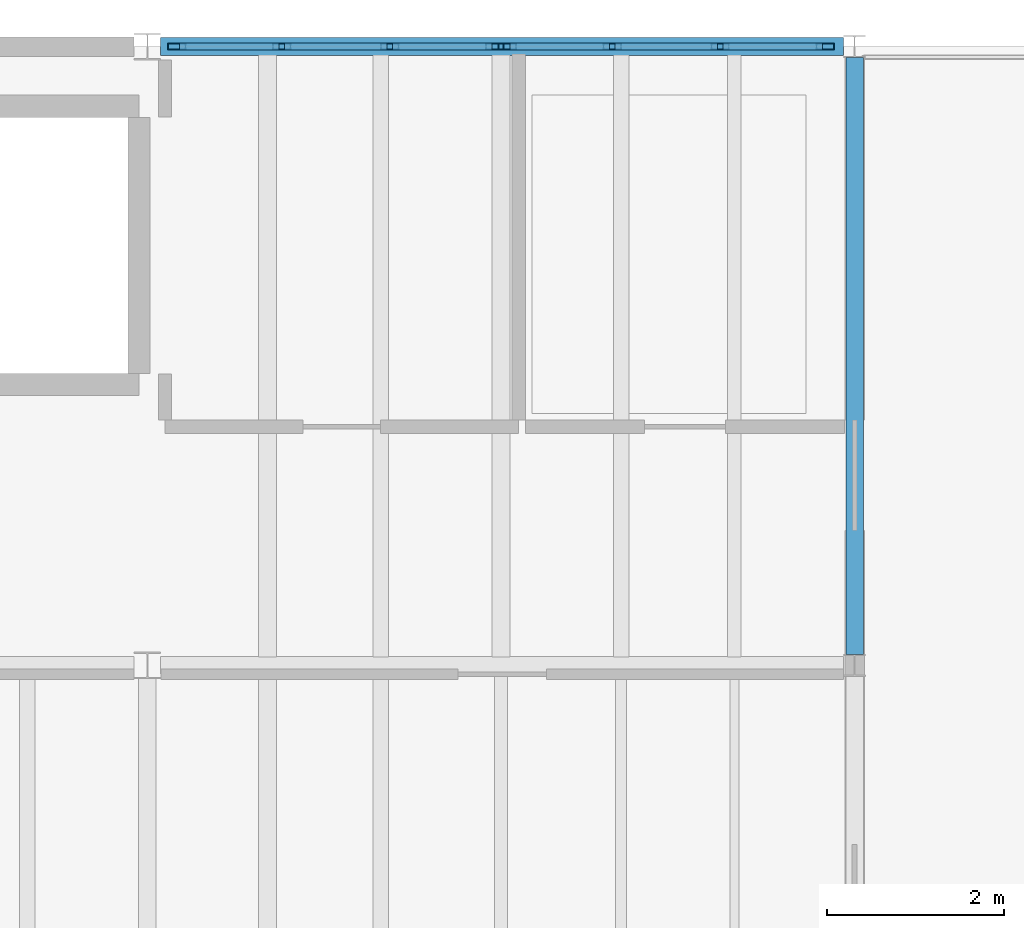
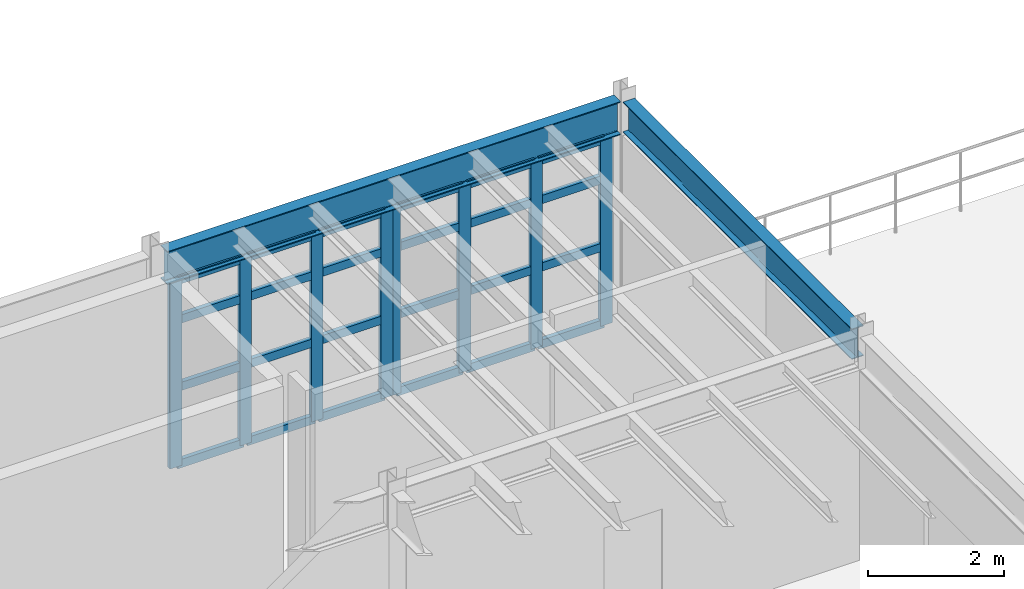
# One storey, part 19 of 77: 32 members, 2 beams, 2 elements without a shape of their own.
"""IFC4 building model written with IfcOpenShell, lengths in metres."""

import ifcopenshell
import ifcopenshell.guid

model = None  # the IFC model being written
_history = None  # IfcOwnerHistory: only IFC2X3 demands one
_inside = {}  # id of a spatial element -> (the spatial element, [elements in it])
_under = {}  # id of a project, library or spatial element -> (it, [spatial elements below it])
_declared = {}  # id of a project -> (the project, [libraries it declares])
_typed = {}  # id of a type object -> (the type object, [elements of that type])
_made_of = {}  # id of a material, layer set ... -> (it, [elements and type objects made of it])


def new_model(schema):
    """Start an empty IFC model of exactly this schema.

    Asked for "IFC4X3", IfcOpenShell would pick the latest addendum, in which some entities
    have other attributes; the version numbers below select the first issue.
    IFC2X3 requires an IfcOwnerHistory on every rooted entity: one is made here for all.
    """
    global model, _history
    if schema == "IFC4X3":
        model = ifcopenshell.file(schema_version=(4, 3, 0, 0))
    else:
        model = ifcopenshell.file(schema=schema)
    _inside.clear()
    _under.clear()
    _declared.clear()
    _typed.clear()
    _made_of.clear()
    _history = None
    if model.schema == "IFC2X3":
        org = make("IfcOrganization", Name="unknown")
        user = make(
            "IfcPersonAndOrganization",
            ThePerson=make("IfcPerson", FamilyName="unknown"),
            TheOrganization=org,
        )
        app = make(
            "IfcApplication",
            ApplicationDeveloper=org,
            Version="unknown",
            ApplicationFullName="unknown",
            ApplicationIdentifier="unknown",
        )
        _history = make(
            "IfcOwnerHistory",
            OwningUser=user,
            OwningApplication=app,
            ChangeAction="ADDED",
            CreationDate=0,
        )
    return model


def make(cls, **values):
    """One entity of the class cls with the attributes given. An attribute that is None is left unset."""
    return model.create_entity(
        cls, **{name: value for name, value in values.items() if value is not None}
    )


def rooted(cls, **values):
    """An entity with a GlobalId (a new one), such as an element, a storey or a relation."""
    return make(cls, GlobalId=ifcopenshell.guid.new(), OwnerHistory=_history, **values)


def si_unit(unit_type, name, prefix=None):
    """IfcSIUnit, for example si_unit("LENGTHUNIT", "METRE", prefix="MILLI")."""
    return make("IfcSIUnit", UnitType=unit_type, Prefix=prefix, Name=name)


def assignment(units):
    """IfcUnitAssignment: the units of a project."""
    return None if units is None else make("IfcUnitAssignment", Units=units)


def point(xyz):
    """IfcCartesianPoint."""
    return None if xyz is None else make("IfcCartesianPoint", Coordinates=xyz)


def direction(xyz):
    """IfcDirection."""
    return None if xyz is None else make("IfcDirection", DirectionRatios=xyz)


def frame(location, z_axis=None, x_axis=None):
    """IfcAxis2Placement3D, a coordinate frame: its origin and axes. An axis left out is left unset."""
    return make(
        "IfcAxis2Placement3D",
        Location=point(location),
        Axis=direction(z_axis),
        RefDirection=direction(x_axis),
    )


def frame_2d(location, x_axis=None):
    """IfcAxis2Placement2D, a coordinate frame in the plane: its origin and x axis."""
    return make(
        "IfcAxis2Placement2D", Location=point(location), RefDirection=direction(x_axis)
    )


def origin():
    """The frame at (0, 0, 0) with its axes left unset."""
    return frame((0.0, 0.0, 0.0))


def origin_2d():
    """The frame at (0, 0) in the plane with its x axis left unset."""
    return frame_2d((0.0, 0.0))


def place(relative_to, where):
    """IfcLocalPlacement: puts the frame where relative to a parent placement (None: the world)."""
    return make(
        "IfcLocalPlacement", PlacementRelTo=relative_to, RelativePlacement=where
    )


def context(
    kind, dimensions, precision=None, world=None, true_north=None, identifier=None
):
    """IfcGeometricRepresentationContext, for example the 3D "Model" context."""
    return make(
        "IfcGeometricRepresentationContext",
        ContextIdentifier=identifier,
        ContextType=kind,
        CoordinateSpaceDimension=dimensions,
        Precision=precision,
        WorldCoordinateSystem=world,
        TrueNorth=true_north,
    )


def subcontext(parent, identifier, kind, view, scale=None):
    """IfcGeometricRepresentationSubContext, for example "Body" below "Model"."""
    return make(
        "IfcGeometricRepresentationSubContext",
        ContextIdentifier=identifier,
        ContextType=kind,
        ParentContext=parent,
        TargetScale=scale,
        TargetView=view,
    )


def project(units=None, contexts=None):
    """IfcProject with its units and contexts."""
    return rooted(
        "IfcProject",
        Name="project",
        RepresentationContexts=contexts,
        UnitsInContext=assignment(units),
    )


def spatial(cls, under=None, at=None, **own):
    """A site, building, storey or space (cls), placed at a placement, below another one or the project."""
    s = rooted(cls, ObjectPlacement=at, **own)
    if under is not None:
        _under.setdefault(under.id(), (under, []))[1].append(s)
    return s


def profile(cls, at=None, kind="AREA", **sizes):
    """A parametric profile (cls). Its sizes go by their IFC names, for example OverallWidth=200.0."""
    return make(cls, ProfileType=kind, Position=at, **sizes)


def hollow_rectangle(**sizes):
    """IfcRectangleHollowProfileDef."""
    return profile("IfcRectangleHollowProfileDef", **sizes)


def i_section(**sizes):
    """IfcIShapeProfileDef."""
    return profile("IfcIShapeProfileDef", **sizes)


def extrude(swept, where, along, depth):
    """IfcExtrudedAreaSolid: the profile swept, set in the frame where, extruded along a direction by depth."""
    return make(
        "IfcExtrudedAreaSolid",
        SweptArea=swept,
        Position=where,
        ExtrudedDirection=direction(along),
        Depth=depth,
    )


def shape(context_of_items, identifier, shape_type, items):
    """IfcShapeRepresentation: the items that make up one representation, for example the "Body"."""
    return make(
        "IfcShapeRepresentation",
        ContextOfItems=context_of_items,
        RepresentationIdentifier=identifier,
        RepresentationType=shape_type,
        Items=items,
    )


def material(Name=None, Category=None):
    """IfcMaterial."""
    return make("IfcMaterial", Name=Name, Category=Category)


def material_profile(
    of_material, cross_section, Name=None, Category=None, Priority=None
):
    """IfcMaterialProfile: a cross section and its material."""
    return make(
        "IfcMaterialProfile",
        Name=Name,
        Material=of_material,
        Profile=cross_section,
        Priority=Priority,
        Category=Category,
    )


def profile_set(profiles, Name=None, composite=None):
    """IfcMaterialProfileSet."""
    return make(
        "IfcMaterialProfileSet",
        Name=Name,
        MaterialProfiles=profiles,
        CompositeProfile=composite,
    )


def made_of(thing, what):
    """Note that an element or type object is made of a material, layer set ...; save() writes the relation."""
    if what is not None:
        _made_of.setdefault(what.id(), (what, []))[1].append(thing)
    return thing


def type_object(cls, material=None, **own):
    """A type object (cls), such as IfcWallType, which elements share."""
    return made_of(rooted(cls, **own), material)


def element(
    cls,
    number,
    at=None,
    inside=None,
    cuts=None,
    type_object=None,
    material=None,
    context=None,
    identifier="Body",
    shape_type=None,
    held_by="IfcProductDefinitionShape",
    body=None,
    shapes=None,
    **own,
):
    """One element of the class cls, such as IfcWall. Its Tag is "e" and its number.

    at: its placement. inside: the storey or other place that contains it. cuts: it is an
    opening in that element (IfcRelVoidsElement). A single representation is given by context,
    identifier, shape_type and body (its items); several are given by shapes. held_by: the class
    of the entity that holds the representations. save() writes the other relations.
    """
    e = rooted(cls, Tag="e%d" % number, ObjectPlacement=at, **own)
    if body is not None:
        shapes = [shape(context, identifier, shape_type, body)]
    if shapes is not None:
        e.Representation = make(held_by, Representations=shapes)
    if inside is not None:
        _inside.setdefault(inside.id(), (inside, []))[1].append(e)
    if cuts is not None:
        rooted(
            "IfcRelVoidsElement", RelatingBuildingElement=cuts, RelatedOpeningElement=e
        )
    if type_object is not None:
        _typed.setdefault(type_object.id(), (type_object, []))[1].append(e)
    return made_of(e, material)


def aggregate(whole, parts):
    """IfcRelAggregates: a whole, such as a stair, and the parts it consists of."""
    return rooted("IfcRelAggregates", RelatingObject=whole, RelatedObjects=parts)


def save(model, path):
    """Write the relations noted so far, then the file.

    IfcRelAggregates (storeys below a building ...), IfcRelContainedInSpatialStructure (elements
    in a storey), IfcRelDefinesByType, IfcRelAssociatesMaterial and IfcRelDeclares: one each for
    every whole, place, type object, material and project.
    """
    for whole, parts in _under.values():
        aggregate(whole, parts)
    for where, things in _inside.values():
        rooted(
            "IfcRelContainedInSpatialStructure",
            RelatedElements=things,
            RelatingStructure=where,
        )
    for kind, things in _typed.values():
        rooted("IfcRelDefinesByType", RelatedObjects=things, RelatingType=kind)
    for what, things in _made_of.values():
        rooted("IfcRelAssociatesMaterial", RelatedObjects=things, RelatingMaterial=what)
    for by, libraries in _declared.values():
        rooted("IfcRelDeclares", RelatingContext=by, RelatedDefinitions=libraries)
    model.write(path)


model = new_model("IFC4")

# Units and contexts
model_context = context("Model", 3, precision=1e-05, world=origin(), true_north=direction((0.0, 1.0)))
body_context = subcontext(model_context, "Body", "Model", "MODEL_VIEW")
ifc_project = project(units=[si_unit("LENGTHUNIT", "METRE"), si_unit("AREAUNIT", "SQUARE_METRE"), si_unit("VOLUMEUNIT", "CUBIC_METRE"), si_unit("PLANEANGLEUNIT", "RADIAN"), si_unit("MASSUNIT", "GRAM", prefix="KILO"), si_unit("THERMODYNAMICTEMPERATUREUNIT", "KELVIN"), si_unit("POWERUNIT", "WATT")], contexts=[model_context])

# Site, building, storey
site_placement = place(None, origin())
site = spatial("IfcSite", under=ifc_project, at=site_placement, CompositionType="ELEMENT")
building_placement = place(site_placement, origin())
building = spatial("IfcBuilding", under=site, at=building_placement, Name="Zhenchuan Central Fire Station", CompositionType="ELEMENT")
storey_placement = place(building_placement, frame((0.0, 0.0, 10.050048828125)))
storey = spatial("IfcBuildingStorey", under=building, at=storey_placement, Name="L03", CompositionType="ELEMENT", Elevation=10.050048828125)

# Beams
ifc_material_1 = material(Name="Steel Q355B", Category="steel")
ifc_material_profile_1 = material_profile(ifc_material_1, i_section(OverallWidth=0.199951171875, OverallDepth=0.550048828125, WebThickness=0.010009765625, FlangeThickness=0.01611328125, FilletRadius=0.02001953125, at=origin_2d()), Name="HN 550x200")
ifc_profile_set_1 = profile_set([ifc_material_profile_1], Name="Steel Q355B")
beam_type_1 = type_object("IfcBeamType", Name="BM-HN550-INT", PredefinedType="BEAM", material=ifc_profile_set_1)
beam_1_placement = place(storey_placement, frame((48.0, 49.625, 3.704833984375), z_axis=(0.0, 1.0, 0.0), x_axis=(-1.0, 0.0, 0.0)))
element("IfcBeam", 1, at=beam_1_placement, inside=storey, type_object=beam_type_1, Name="L04 Girder NS 0399", PredefinedType="BEAM", context=body_context, shape_type="SweptSolid", body=[
    extrude(i_section(OverallWidth=0.199951171875, OverallDepth=0.550048828125, WebThickness=0.010009765625, FlangeThickness=0.01611328125, FilletRadius=0.02001953125, at=origin_2d()), origin(), (0.0, 0.0, 1.0), 6.75),
])
ifc_material_profile_2 = material_profile(ifc_material_1, i_section(OverallWidth=0.199951171875, OverallDepth=0.60009765625, WebThickness=0.010986328125, FlangeThickness=0.01708984375, FilletRadius=0.02197265625, at=origin_2d()), Name="HN 600x200")
ifc_profile_set_2 = profile_set([ifc_material_profile_2], Name="Steel Q355B")
beam_type_2 = type_object("IfcBeamType", Name="BM-HN600", PredefinedType="BEAM", material=ifc_profile_set_2)
beam_2_placement = place(storey_placement, frame((40.14990234375, 56.5, 3.679931640625), z_axis=(1.0, 0.0, 0.0), x_axis=(0.0, 1.0, 0.0)))
element("IfcBeam", 2, at=beam_2_placement, inside=storey, type_object=beam_type_2, Name="L04 Girder EW 0387", PredefinedType="BEAM", context=body_context, shape_type="SweptSolid", body=[
    extrude(i_section(OverallWidth=0.199951171875, OverallDepth=0.60009765625, WebThickness=0.010986328125, FlangeThickness=0.01708984375, FilletRadius=0.02197265625, at=origin_2d()), origin(), (0.0, 0.0, 1.0), 7.72509765625),
])

# Curtain wall, members
ifc_material_2 = material(Name="Anodised aluminium and low-E glazing", Category="aluminium")
curtain_wall_type_1 = type_object("IfcCurtainWallType", Name="CW-MOD-01", PredefinedType="USERDEFINED", material=ifc_material_2)
curtain_wall_1_placement = place(storey_placement, origin())
curtain_wall_1 = element("IfcCurtainWall", 3, at=curtain_wall_1_placement, inside=storey, type_object=curtain_wall_type_1, Name="L03 Unitised Curtain Wall 068", ObjectType="UNITISED GLAZING", PredefinedType="USERDEFINED")
ifc_material_3 = material(Name="Anodised aluminium EN AW-6063", Category="aluminium")
ifc_material_profile_3 = material_profile(ifc_material_3, hollow_rectangle(XDim=0.074951171875, YDim=0.199951171875, WallThickness=0.0048828125, at=origin_2d()), Name="ALU-M 200x75")
ifc_profile_set_3 = profile_set([ifc_material_profile_3], Name="Anodised aluminium EN AW-6063")
member_type_1 = type_object("IfcMemberType", Name="CW-MUL160", PredefinedType="MULLION", material=ifc_profile_set_3)
member_1_placement = place(storey_placement, frame((40.33251953125, 56.5, -0.004150390625), z_axis=(0.0, 0.0, 1.0), x_axis=(0.0, 1.0, 0.0)))
member_1 = element("IfcMember", 4, at=member_1_placement, type_object=member_type_1, Name="CW-01 mullion 1", PredefinedType="MULLION", context=body_context, shape_type="SweptSolid", body=[
    extrude(hollow_rectangle(XDim=0.074951171875, YDim=0.199951171875, WallThickness=0.0048828125, at=origin_2d()), origin(), (0.0, 0.0, 1.0), 3.378173828125),
])
member_2_placement = place(storey_placement, frame((41.520751953125, 56.5, -0.004150390625), z_axis=(0.0, 0.0, 1.0), x_axis=(0.0, 1.0, 0.0)))
member_2 = element("IfcMember", 5, at=member_2_placement, type_object=member_type_1, Name="CW-01 mullion 2", PredefinedType="MULLION", context=body_context, shape_type="SweptSolid", body=[
    extrude(hollow_rectangle(XDim=0.074951171875, YDim=0.199951171875, WallThickness=0.0048828125, at=origin_2d()), origin(), (0.0, 0.0, 1.0), 3.378173828125),
])
member_3_placement = place(storey_placement, frame((42.741455078125, 56.5, -0.004150390625), z_axis=(0.0, 0.0, 1.0), x_axis=(0.0, 1.0, 0.0)))
member_3 = element("IfcMember", 6, at=member_3_placement, type_object=member_type_1, Name="CW-01 mullion 3", PredefinedType="MULLION", context=body_context, shape_type="SweptSolid", body=[
    extrude(hollow_rectangle(XDim=0.074951171875, YDim=0.199951171875, WallThickness=0.0048828125, at=origin_2d()), origin(), (0.0, 0.0, 1.0), 3.378173828125),
])
member_4_placement = place(storey_placement, frame((43.929443359375, 56.5, -0.004150390625), z_axis=(0.0, 0.0, 1.0), x_axis=(0.0, 1.0, 0.0)))
member_4 = element("IfcMember", 7, at=member_4_placement, type_object=member_type_1, Name="CW-01 mullion 4", PredefinedType="MULLION", context=body_context, shape_type="SweptSolid", body=[
    extrude(hollow_rectangle(XDim=0.074951171875, YDim=0.199951171875, WallThickness=0.0048828125, at=origin_2d()), origin(), (0.0, 0.0, 1.0), 3.378173828125),
])

curtain_wall_type_2 = type_object("IfcCurtainWallType", Name="CW-MOD-02", PredefinedType="USERDEFINED", material=ifc_material_2)
curtain_wall_2_placement = place(storey_placement, origin())
curtain_wall_2 = element("IfcCurtainWall", 8, at=curtain_wall_2_placement, inside=storey, type_object=curtain_wall_type_2, Name="L03 Unitised Curtain Wall 069", ObjectType="UNITISED GLAZING", PredefinedType="USERDEFINED")
member_5_placement = place(storey_placement, frame((44.070556640625, 56.5, -0.004150390625), z_axis=(0.0, 0.0, 1.0), x_axis=(0.0, 1.0, 0.0)))
member_5 = element("IfcMember", 9, at=member_5_placement, type_object=member_type_1, Name="CW-02 mullion 1", PredefinedType="MULLION", context=body_context, shape_type="SweptSolid", body=[
    extrude(hollow_rectangle(XDim=0.074951171875, YDim=0.199951171875, WallThickness=0.0048828125, at=origin_2d()), origin(), (0.0, 0.0, 1.0), 3.378173828125),
])
member_6_placement = place(storey_placement, frame((45.258544921875, 56.5, -0.004150390625), z_axis=(0.0, 0.0, 1.0), x_axis=(0.0, 1.0, 0.0)))
member_6 = element("IfcMember", 10, at=member_6_placement, type_object=member_type_1, Name="CW-02 mullion 2", PredefinedType="MULLION", context=body_context, shape_type="SweptSolid", body=[
    extrude(hollow_rectangle(XDim=0.074951171875, YDim=0.199951171875, WallThickness=0.0048828125, at=origin_2d()), origin(), (0.0, 0.0, 1.0), 3.378173828125),
])
member_7_placement = place(storey_placement, frame((46.479248046875, 56.5, -0.004150390625), z_axis=(0.0, 0.0, 1.0), x_axis=(0.0, 1.0, 0.0)))
member_7 = element("IfcMember", 11, at=member_7_placement, type_object=member_type_1, Name="CW-02 mullion 3", PredefinedType="MULLION", context=body_context, shape_type="SweptSolid", body=[
    extrude(hollow_rectangle(XDim=0.074951171875, YDim=0.199951171875, WallThickness=0.0048828125, at=origin_2d()), origin(), (0.0, 0.0, 1.0), 3.378173828125),
])
member_8_placement = place(storey_placement, frame((47.66748046875, 56.5, -0.004150390625), z_axis=(0.0, 0.0, 1.0), x_axis=(0.0, 1.0, 0.0)))
member_8 = element("IfcMember", 12, at=member_8_placement, type_object=member_type_1, Name="CW-02 mullion 4", PredefinedType="MULLION", context=body_context, shape_type="SweptSolid", body=[
    extrude(hollow_rectangle(XDim=0.074951171875, YDim=0.199951171875, WallThickness=0.0048828125, at=origin_2d()), origin(), (0.0, 0.0, 1.0), 3.378173828125),
])

# Member
ifc_material_profile_4 = material_profile(ifc_material_3, hollow_rectangle(XDim=0.074951171875, YDim=0.14990234375, WallThickness=0.0048828125, at=origin_2d()), Name="ALU-T 150x75")
ifc_profile_set_4 = profile_set([ifc_material_profile_4], Name="Anodised aluminium EN AW-6063")
member_type_2 = type_object("IfcMemberType", Name="CW-TRN130", PredefinedType="NOTDEFINED", material=ifc_profile_set_4)
member_9_placement = place(storey_placement, frame((40.364990234375, 56.5, 0.028564453125), z_axis=(1.0, 0.0, 0.0), x_axis=(0.0, 1.0, 0.0)))
member_9 = element("IfcMember", 13, at=member_9_placement, type_object=member_type_2, Name="CW-01 transom 1.1", ObjectType="TRANSOM", PredefinedType="USERDEFINED", context=body_context, shape_type="SweptSolid", body=[
    extrude(hollow_rectangle(XDim=0.074951171875, YDim=0.14990234375, WallThickness=0.0048828125, at=origin_2d()), origin(), (0.0, 0.0, 1.0), 1.123291015625),
])

member_10_placement = place(storey_placement, frame((40.364990234375, 56.5, 1.4169921875), z_axis=(1.0, 0.0, 0.0), x_axis=(0.0, 1.0, 0.0)))
member_10 = element("IfcMember", 14, at=member_10_placement, type_object=member_type_2, Name="CW-01 transom 1.2", ObjectType="TRANSOM", PredefinedType="USERDEFINED", context=body_context, shape_type="SweptSolid", body=[
    extrude(hollow_rectangle(XDim=0.074951171875, YDim=0.14990234375, WallThickness=0.0048828125, at=origin_2d()), origin(), (0.0, 0.0, 1.0), 1.123291015625),
])

member_11_placement = place(storey_placement, frame((40.364990234375, 56.5, 2.631591796875), z_axis=(1.0, 0.0, 0.0), x_axis=(0.0, 1.0, 0.0)))
member_11 = element("IfcMember", 15, at=member_11_placement, type_object=member_type_2, Name="CW-01 transom 1.3", ObjectType="TRANSOM", PredefinedType="USERDEFINED", context=body_context, shape_type="SweptSolid", body=[
    extrude(hollow_rectangle(XDim=0.074951171875, YDim=0.14990234375, WallThickness=0.0048828125, at=origin_2d()), origin(), (0.0, 0.0, 1.0), 1.123291015625),
])

member_12_placement = place(storey_placement, frame((40.364990234375, 56.5, 3.341552734375), z_axis=(1.0, 0.0, 0.0), x_axis=(0.0, 1.0, 0.0)))
member_12 = element("IfcMember", 16, at=member_12_placement, type_object=member_type_2, Name="CW-01 transom 1.4", ObjectType="TRANSOM", PredefinedType="USERDEFINED", context=body_context, shape_type="SweptSolid", body=[
    extrude(hollow_rectangle(XDim=0.074951171875, YDim=0.14990234375, WallThickness=0.0048828125, at=origin_2d()), origin(), (0.0, 0.0, 1.0), 1.123291015625),
])

member_13_placement = place(storey_placement, frame((41.55322265625, 56.5, 0.028564453125), z_axis=(1.0, 0.0, 0.0), x_axis=(0.0, 1.0, 0.0)))
member_13 = element("IfcMember", 17, at=member_13_placement, type_object=member_type_2, Name="CW-01 transom 2.1", ObjectType="TRANSOM", PredefinedType="USERDEFINED", context=body_context, shape_type="SweptSolid", body=[
    extrude(hollow_rectangle(XDim=0.074951171875, YDim=0.14990234375, WallThickness=0.0048828125, at=origin_2d()), origin(), (0.0, 0.0, 1.0), 1.155517578125),
])

member_14_placement = place(storey_placement, frame((41.55322265625, 56.5, 1.4169921875), z_axis=(1.0, 0.0, 0.0), x_axis=(0.0, 1.0, 0.0)))
member_14 = element("IfcMember", 18, at=member_14_placement, type_object=member_type_2, Name="CW-01 transom 2.2", ObjectType="TRANSOM", PredefinedType="USERDEFINED", context=body_context, shape_type="SweptSolid", body=[
    extrude(hollow_rectangle(XDim=0.074951171875, YDim=0.14990234375, WallThickness=0.0048828125, at=origin_2d()), origin(), (0.0, 0.0, 1.0), 1.155517578125),
])

member_15_placement = place(storey_placement, frame((41.55322265625, 56.5, 2.631591796875), z_axis=(1.0, 0.0, 0.0), x_axis=(0.0, 1.0, 0.0)))
member_15 = element("IfcMember", 19, at=member_15_placement, type_object=member_type_2, Name="CW-01 transom 2.3", ObjectType="TRANSOM", PredefinedType="USERDEFINED", context=body_context, shape_type="SweptSolid", body=[
    extrude(hollow_rectangle(XDim=0.074951171875, YDim=0.14990234375, WallThickness=0.0048828125, at=origin_2d()), origin(), (0.0, 0.0, 1.0), 1.155517578125),
])

member_16_placement = place(storey_placement, frame((41.55322265625, 56.5, 3.341552734375), z_axis=(1.0, 0.0, 0.0), x_axis=(0.0, 1.0, 0.0)))
member_16 = element("IfcMember", 20, at=member_16_placement, type_object=member_type_2, Name="CW-01 transom 2.4", ObjectType="TRANSOM", PredefinedType="USERDEFINED", context=body_context, shape_type="SweptSolid", body=[
    extrude(hollow_rectangle(XDim=0.074951171875, YDim=0.14990234375, WallThickness=0.0048828125, at=origin_2d()), origin(), (0.0, 0.0, 1.0), 1.155517578125),
])

member_17_placement = place(storey_placement, frame((42.77392578125, 56.5, 0.028564453125), z_axis=(1.0, 0.0, 0.0), x_axis=(0.0, 1.0, 0.0)))
member_17 = element("IfcMember", 21, at=member_17_placement, type_object=member_type_2, Name="CW-01 transom 3.1", ObjectType="TRANSOM", PredefinedType="USERDEFINED", context=body_context, shape_type="SweptSolid", body=[
    extrude(hollow_rectangle(XDim=0.074951171875, YDim=0.14990234375, WallThickness=0.0048828125, at=origin_2d()), origin(), (0.0, 0.0, 1.0), 1.123046875),
])

member_18_placement = place(storey_placement, frame((42.77392578125, 56.5, 1.4169921875), z_axis=(1.0, 0.0, 0.0), x_axis=(0.0, 1.0, 0.0)))
member_18 = element("IfcMember", 22, at=member_18_placement, type_object=member_type_2, Name="CW-01 transom 3.2", ObjectType="TRANSOM", PredefinedType="USERDEFINED", context=body_context, shape_type="SweptSolid", body=[
    extrude(hollow_rectangle(XDim=0.074951171875, YDim=0.14990234375, WallThickness=0.0048828125, at=origin_2d()), origin(), (0.0, 0.0, 1.0), 1.123046875),
])

member_19_placement = place(storey_placement, frame((42.77392578125, 56.5, 2.631591796875), z_axis=(1.0, 0.0, 0.0), x_axis=(0.0, 1.0, 0.0)))
member_19 = element("IfcMember", 23, at=member_19_placement, type_object=member_type_2, Name="CW-01 transom 3.3", ObjectType="TRANSOM", PredefinedType="USERDEFINED", context=body_context, shape_type="SweptSolid", body=[
    extrude(hollow_rectangle(XDim=0.074951171875, YDim=0.14990234375, WallThickness=0.0048828125, at=origin_2d()), origin(), (0.0, 0.0, 1.0), 1.123046875),
])

member_20_placement = place(storey_placement, frame((42.77392578125, 56.5, 3.341552734375), z_axis=(1.0, 0.0, 0.0), x_axis=(0.0, 1.0, 0.0)))
member_20 = element("IfcMember", 24, at=member_20_placement, type_object=member_type_2, Name="CW-01 transom 3.4", ObjectType="TRANSOM", PredefinedType="USERDEFINED", context=body_context, shape_type="SweptSolid", body=[
    extrude(hollow_rectangle(XDim=0.074951171875, YDim=0.14990234375, WallThickness=0.0048828125, at=origin_2d()), origin(), (0.0, 0.0, 1.0), 1.123046875),
])

aggregate(curtain_wall_1, [member_1, member_2, member_3, member_4, member_9, member_10, member_11, member_12, member_13, member_14, member_15, member_16, member_17, member_18, member_19, member_20])

member_21_placement = place(storey_placement, frame((44.10302734375, 56.5, 0.028564453125), z_axis=(1.0, 0.0, 0.0), x_axis=(0.0, 1.0, 0.0)))
member_21 = element("IfcMember", 25, at=member_21_placement, type_object=member_type_2, Name="CW-02 transom 1.1", ObjectType="TRANSOM", PredefinedType="USERDEFINED", context=body_context, shape_type="SweptSolid", body=[
    extrude(hollow_rectangle(XDim=0.074951171875, YDim=0.14990234375, WallThickness=0.0048828125, at=origin_2d()), origin(), (0.0, 0.0, 1.0), 1.123046875),
])

member_22_placement = place(storey_placement, frame((44.10302734375, 56.5, 1.4169921875), z_axis=(1.0, 0.0, 0.0), x_axis=(0.0, 1.0, 0.0)))
member_22 = element("IfcMember", 26, at=member_22_placement, type_object=member_type_2, Name="CW-02 transom 1.2", ObjectType="TRANSOM", PredefinedType="USERDEFINED", context=body_context, shape_type="SweptSolid", body=[
    extrude(hollow_rectangle(XDim=0.074951171875, YDim=0.14990234375, WallThickness=0.0048828125, at=origin_2d()), origin(), (0.0, 0.0, 1.0), 1.123046875),
])

member_23_placement = place(storey_placement, frame((44.10302734375, 56.5, 2.631591796875), z_axis=(1.0, 0.0, 0.0), x_axis=(0.0, 1.0, 0.0)))
member_23 = element("IfcMember", 27, at=member_23_placement, type_object=member_type_2, Name="CW-02 transom 1.3", ObjectType="TRANSOM", PredefinedType="USERDEFINED", context=body_context, shape_type="SweptSolid", body=[
    extrude(hollow_rectangle(XDim=0.074951171875, YDim=0.14990234375, WallThickness=0.0048828125, at=origin_2d()), origin(), (0.0, 0.0, 1.0), 1.123046875),
])

member_24_placement = place(storey_placement, frame((44.10302734375, 56.5, 3.341552734375), z_axis=(1.0, 0.0, 0.0), x_axis=(0.0, 1.0, 0.0)))
member_24 = element("IfcMember", 28, at=member_24_placement, type_object=member_type_2, Name="CW-02 transom 1.4", ObjectType="TRANSOM", PredefinedType="USERDEFINED", context=body_context, shape_type="SweptSolid", body=[
    extrude(hollow_rectangle(XDim=0.074951171875, YDim=0.14990234375, WallThickness=0.0048828125, at=origin_2d()), origin(), (0.0, 0.0, 1.0), 1.123046875),
])

member_25_placement = place(storey_placement, frame((45.291259765625, 56.5, 0.028564453125), z_axis=(1.0, 0.0, 0.0), x_axis=(0.0, 1.0, 0.0)))
member_25 = element("IfcMember", 29, at=member_25_placement, type_object=member_type_2, Name="CW-02 transom 2.1", ObjectType="TRANSOM", PredefinedType="USERDEFINED", context=body_context, shape_type="SweptSolid", body=[
    extrude(hollow_rectangle(XDim=0.074951171875, YDim=0.14990234375, WallThickness=0.0048828125, at=origin_2d()), origin(), (0.0, 0.0, 1.0), 1.155517578125),
])

member_26_placement = place(storey_placement, frame((45.291259765625, 56.5, 1.4169921875), z_axis=(1.0, 0.0, 0.0), x_axis=(0.0, 1.0, 0.0)))
member_26 = element("IfcMember", 30, at=member_26_placement, type_object=member_type_2, Name="CW-02 transom 2.2", ObjectType="TRANSOM", PredefinedType="USERDEFINED", context=body_context, shape_type="SweptSolid", body=[
    extrude(hollow_rectangle(XDim=0.074951171875, YDim=0.14990234375, WallThickness=0.0048828125, at=origin_2d()), origin(), (0.0, 0.0, 1.0), 1.155517578125),
])

member_27_placement = place(storey_placement, frame((45.291259765625, 56.5, 2.631591796875), z_axis=(1.0, 0.0, 0.0), x_axis=(0.0, 1.0, 0.0)))
member_27 = element("IfcMember", 31, at=member_27_placement, type_object=member_type_2, Name="CW-02 transom 2.3", ObjectType="TRANSOM", PredefinedType="USERDEFINED", context=body_context, shape_type="SweptSolid", body=[
    extrude(hollow_rectangle(XDim=0.074951171875, YDim=0.14990234375, WallThickness=0.0048828125, at=origin_2d()), origin(), (0.0, 0.0, 1.0), 1.155517578125),
])

member_28_placement = place(storey_placement, frame((45.291259765625, 56.5, 3.341552734375), z_axis=(1.0, 0.0, 0.0), x_axis=(0.0, 1.0, 0.0)))
member_28 = element("IfcMember", 32, at=member_28_placement, type_object=member_type_2, Name="CW-02 transom 2.4", ObjectType="TRANSOM", PredefinedType="USERDEFINED", context=body_context, shape_type="SweptSolid", body=[
    extrude(hollow_rectangle(XDim=0.074951171875, YDim=0.14990234375, WallThickness=0.0048828125, at=origin_2d()), origin(), (0.0, 0.0, 1.0), 1.155517578125),
])

member_29_placement = place(storey_placement, frame((46.51171875, 56.5, 0.028564453125), z_axis=(1.0, 0.0, 0.0), x_axis=(0.0, 1.0, 0.0)))
member_29 = element("IfcMember", 33, at=member_29_placement, type_object=member_type_2, Name="CW-02 transom 3.1", ObjectType="TRANSOM", PredefinedType="USERDEFINED", context=body_context, shape_type="SweptSolid", body=[
    extrude(hollow_rectangle(XDim=0.074951171875, YDim=0.14990234375, WallThickness=0.0048828125, at=origin_2d()), origin(), (0.0, 0.0, 1.0), 1.123291015625),
])

member_30_placement = place(storey_placement, frame((46.51171875, 56.5, 1.4169921875), z_axis=(1.0, 0.0, 0.0), x_axis=(0.0, 1.0, 0.0)))
member_30 = element("IfcMember", 34, at=member_30_placement, type_object=member_type_2, Name="CW-02 transom 3.2", ObjectType="TRANSOM", PredefinedType="USERDEFINED", context=body_context, shape_type="SweptSolid", body=[
    extrude(hollow_rectangle(XDim=0.074951171875, YDim=0.14990234375, WallThickness=0.0048828125, at=origin_2d()), origin(), (0.0, 0.0, 1.0), 1.123291015625),
])

member_31_placement = place(storey_placement, frame((46.51171875, 56.5, 2.631591796875), z_axis=(1.0, 0.0, 0.0), x_axis=(0.0, 1.0, 0.0)))
member_31 = element("IfcMember", 35, at=member_31_placement, type_object=member_type_2, Name="CW-02 transom 3.3", ObjectType="TRANSOM", PredefinedType="USERDEFINED", context=body_context, shape_type="SweptSolid", body=[
    extrude(hollow_rectangle(XDim=0.074951171875, YDim=0.14990234375, WallThickness=0.0048828125, at=origin_2d()), origin(), (0.0, 0.0, 1.0), 1.123291015625),
])

member_32_placement = place(storey_placement, frame((46.51171875, 56.5, 3.341552734375), z_axis=(1.0, 0.0, 0.0), x_axis=(0.0, 1.0, 0.0)))
member_32 = element("IfcMember", 36, at=member_32_placement, type_object=member_type_2, Name="CW-02 transom 3.4", ObjectType="TRANSOM", PredefinedType="USERDEFINED", context=body_context, shape_type="SweptSolid", body=[
    extrude(hollow_rectangle(XDim=0.074951171875, YDim=0.14990234375, WallThickness=0.0048828125, at=origin_2d()), origin(), (0.0, 0.0, 1.0), 1.123291015625),
])

aggregate(curtain_wall_2, [member_5, member_6, member_7, member_8, member_21, member_22, member_23, member_24, member_25, member_26, member_27, member_28, member_29, member_30, member_31, member_32])

save(model, "model.ifc")
